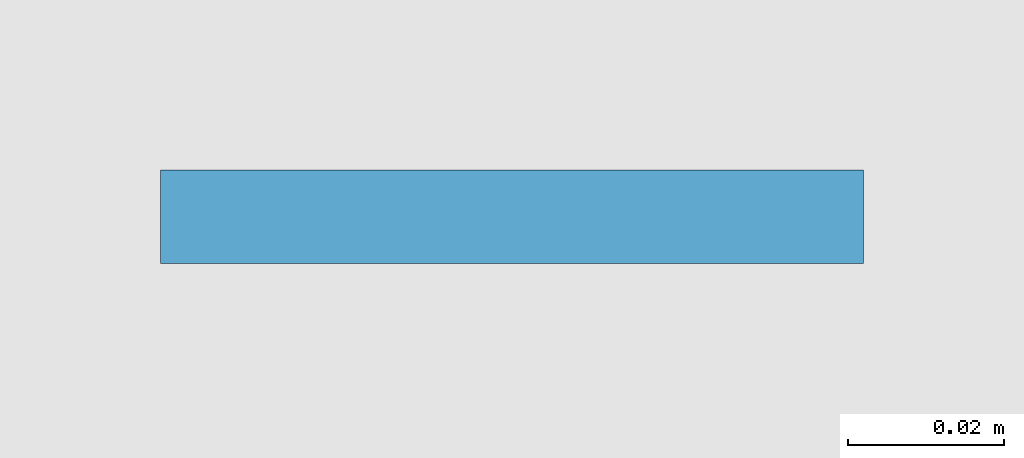
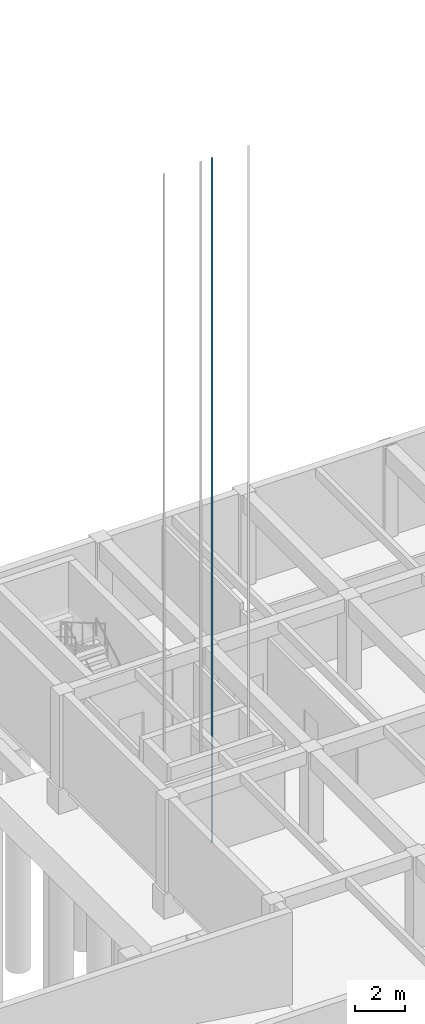
# One storey, part 11 of 44: 1 plate.
"""IFC4 building model written with IfcOpenShell, lengths in metres."""

from ifc_helpers import new_model, si_unit, direction, frame, origin, origin_2d, place, context, subcontext, project, spatial, rectangle, extrude, material, layer, layer_set, type_object, element, save


model = new_model("IFC4")

# Units and contexts
model_context = context("Model", 3, precision=1e-05, world=origin(), true_north=direction((0.0, 1.0)))
body_context = subcontext(model_context, "Body", "Model", "MODEL_VIEW")
ifc_project = project(units=[si_unit("LENGTHUNIT", "METRE"), si_unit("AREAUNIT", "SQUARE_METRE"), si_unit("VOLUMEUNIT", "CUBIC_METRE"), si_unit("PLANEANGLEUNIT", "RADIAN"), si_unit("MASSUNIT", "GRAM", prefix="KILO")], contexts=[model_context])

# Site, building, storey
site_placement = place(None, origin())
site = spatial("IfcSite", under=ifc_project, at=site_placement, CompositionType="ELEMENT")
building_placement = place(site_placement, origin())
building = spatial("IfcBuilding", under=site, at=building_placement, Name="Kolvaren Faculty of Natural Sciences", CompositionType="ELEMENT")
storey_placement = place(building_placement, frame((0.0, 0.0, -4.5)))
storey = spatial("IfcBuildingStorey", under=building, at=storey_placement, Name="B01", CompositionType="ELEMENT", Elevation=-4.5)

# Plate
ifc_material = material(Name="Structural steel EN 10025-2 S355J2", Category="steel")
ifc_layer = layer(ifc_material, 0.011962890625)
ifc_layer_set = layer_set([ifc_layer], Name="Structural steel EN 10025-2 S355J2")
plate_type = type_object("IfcPlateType", Name="LiftGuideRail_T89", PredefinedType="USERDEFINED", material=ifc_layer_set)
plate_placement = place(storey_placement, frame((36.81005859375, 28.14990234375, -0.81982421875), z_axis=(0.0, 0.0, 1.0), x_axis=(1.0, 0.0, 0.0)))
element("IfcPlate", 1, at=plate_placement, inside=storey, type_object=plate_type, Name="Lift PL-4 steel guide rail 1", ObjectType="GUIDE RAIL", PredefinedType="USERDEFINED", context=body_context, shape_type="SweptSolid", body=[
    extrude(rectangle(XDim=0.090087890625, YDim=0.011962890625, at=origin_2d()), origin(), (0.0, 0.0, 1.0), 33.320068359375),
])

save(model, "model.ifc")
